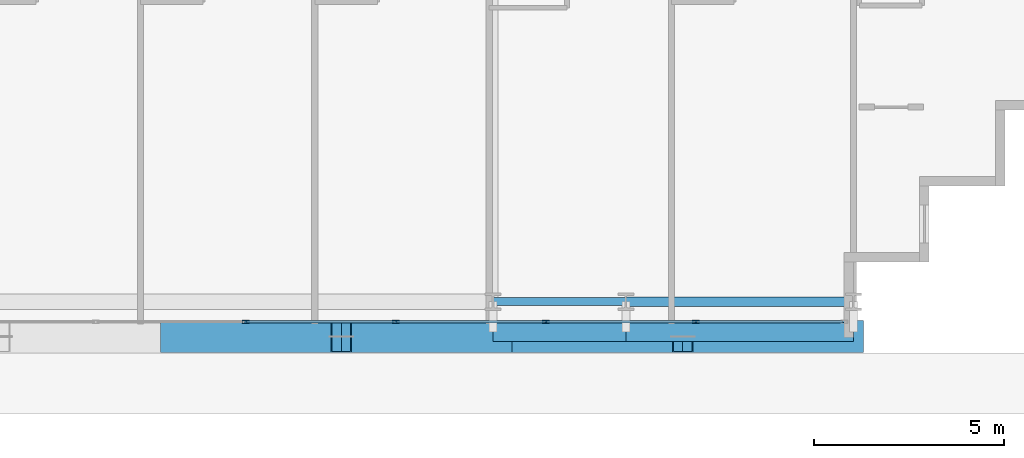
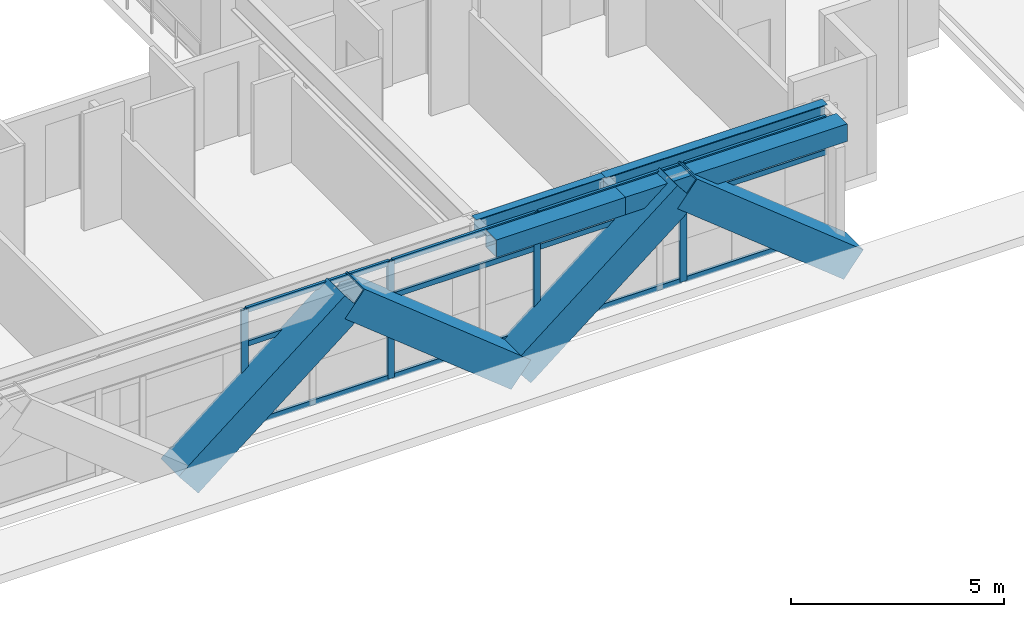
# One storey, part 9 of 35: 20 members, 4 beams, 1 element without a shape of its own.
"""IFC4 building model written with IfcOpenShell, lengths in metres."""

from ifc_helpers import new_model, si_unit, direction, frame, origin, origin_2d, place, context, subcontext, project, spatial, hollow_rectangle, i_section, extrude, source, transform, mapped, material, layer, layer_set, material_profile, profile_set, type_object, element, aggregate, save


model = new_model("IFC4")

# Units and contexts
model_context = context("Model", 3, precision=1e-05, world=origin(), true_north=direction((0.0, 1.0)))
body_context = subcontext(model_context, "Body", "Model", "MODEL_VIEW")
ifc_project = project(units=[si_unit("LENGTHUNIT", "METRE"), si_unit("AREAUNIT", "SQUARE_METRE"), si_unit("VOLUMEUNIT", "CUBIC_METRE"), si_unit("PLANEANGLEUNIT", "RADIAN"), si_unit("MASSUNIT", "GRAM", prefix="KILO")], contexts=[model_context])

# Site, building, storey
site_placement = place(None, origin())
site = spatial("IfcSite", under=ifc_project, at=site_placement, CompositionType="ELEMENT")
building_placement = place(site_placement, origin())
building = spatial("IfcBuilding", under=site, at=building_placement, Name="Ocotamira Hotel", CompositionType="ELEMENT")
storey_placement = place(building_placement, frame((0.0, 0.0, 34.800048828125)))
storey = spatial("IfcBuildingStorey", under=building, at=storey_placement, Name="L07", CompositionType="ELEMENT", Elevation=34.800048828125)

# Beams
ifc_material_1 = material(Name="Steel ASTM A992 Grade 50", Category="steel")
ifc_material_profile_1 = material_profile(ifc_material_1, i_section(OverallWidth=0.256103515625, OverallDepth=0.693115234375, WebThickness=0.014404296875, FlangeThickness=0.023681640625, FilletRadius=0.01611328125, at=origin_2d()), Name="W27X114")
ifc_profile_set_1 = profile_set([ifc_material_profile_1], Name="Steel ASTM A992 Grade 50")
beam_type_1 = type_object("IfcBeamType", Name="BM-PRIM-W27X114", PredefinedType="BEAM", material=ifc_profile_set_1)
shared_shape_1 = source(origin(), body_context, "Body", "SweptSolid", [
    extrude(i_section(OverallWidth=0.256103515625, OverallDepth=0.693115234375, WebThickness=0.014404296875, FlangeThickness=0.023681640625, FilletRadius=0.01611328125, at=origin_2d()), origin(), (0.0, 0.0, 1.0), 6.0),
])
beam_1_placement = place(storey_placement, frame((44.0, 2.949951171875, 3.00341796875), z_axis=(1.0, 0.0, 0.0), x_axis=(0.0, 1.0, 0.0)))
element("IfcBeam", 1, at=beam_1_placement, inside=storey, type_object=beam_type_1, Name="L07 Girder Y2.95 X44-50", PredefinedType="BEAM", context=body_context, shape_type="MappedRepresentation", body=[
    mapped(shared_shape_1, transform((0.0, 0.0, 0.0), scale=1.0)),
])
ifc_material_profile_2 = material_profile(ifc_material_1, i_section(OverallWidth=0.2099609375, OverallDepth=0.537109375, WebThickness=0.010986328125, FlangeThickness=0.017333984375, FilletRadius=0.012939453125, at=origin_2d()), Name="W21X68")
ifc_profile_set_2 = profile_set([ifc_material_profile_2], Name="Steel ASTM A992 Grade 50")
beam_type_2 = type_object("IfcBeamType", Name="BM-SEC-W21X68", PredefinedType="JOIST", material=ifc_profile_set_2)
shared_shape_2 = source(origin(), body_context, "Body", "SweptSolid", [
    extrude(i_section(OverallWidth=0.2099609375, OverallDepth=0.537109375, WebThickness=0.010986328125, FlangeThickness=0.017333984375, FilletRadius=0.012939453125, at=origin_2d()), origin(), (0.0, 0.0, 1.0), 3.5),
])
beam_2_placement = place(storey_placement, frame((40.5, 2.949951171875, 3.08154296875), z_axis=(1.0, 0.0, 0.0), x_axis=(0.0, 1.0, 0.0)))
element("IfcBeam", 2, at=beam_2_placement, inside=storey, type_object=beam_type_2, Name="L07 Girder Y2.95 X40.5-44", PredefinedType="JOIST", context=body_context, shape_type="MappedRepresentation", body=[
    mapped(shared_shape_2, transform((0.0, 0.0, 0.0), scale=1.0)),
])
ifc_material_2 = material(Name="Steel ASTM A500 Grade C", Category="steel")
ifc_material_profile_3 = material_profile(ifc_material_2, hollow_rectangle(XDim=0.5, YDim=0.5, WallThickness=0.02001953125, at=origin_2d()), Name="HSS500X500X20")
ifc_profile_set_3 = profile_set([ifc_material_profile_3], Name="Steel ASTM A500 Grade C")
beam_type_3 = type_object("IfcBeamType", Name="BM-SPAN-HSS500", PredefinedType="USERDEFINED", material=ifc_profile_set_3)
shared_shape_3 = source(origin(), body_context, "Body", "SweptSolid", [
    extrude(hollow_rectangle(XDim=0.5, YDim=0.5, WallThickness=0.02001953125, at=origin_2d()), origin(), (0.0, 0.0, 1.0), 6.0),
])
beam_3_placement = place(storey_placement, frame((44.0, 2.14990234375, 3.099853515625), z_axis=(1.0, 0.0, 0.0), x_axis=(0.0, 1.0, 0.0)))
element("IfcBeam", 3, at=beam_3_placement, inside=storey, type_object=beam_type_3, Name="L07 Edge Spandrel S X44-50", ObjectType="SPANDREL", PredefinedType="USERDEFINED", context=body_context, shape_type="MappedRepresentation", body=[
    mapped(shared_shape_3, transform((0.0, 0.0, 0.0), scale=1.0)),
])
shared_shape_4 = source(origin(), body_context, "Body", "SweptSolid", [
    extrude(hollow_rectangle(XDim=0.5, YDim=0.5, WallThickness=0.02001953125, at=origin_2d()), origin(), (0.0, 0.0, 1.0), 3.5),
])
beam_4_placement = place(storey_placement, frame((40.5, 2.14990234375, 3.099853515625), z_axis=(1.0, 0.0, 0.0), x_axis=(0.0, 1.0, 0.0)))
element("IfcBeam", 4, at=beam_4_placement, inside=storey, type_object=beam_type_3, Name="L07 Edge Spandrel S X40.5-44", ObjectType="SPANDREL", PredefinedType="USERDEFINED", context=body_context, shape_type="MappedRepresentation", body=[
    mapped(shared_shape_4, transform((0.0, 0.0, 0.0), scale=1.0)),
])

# Members
ifc_material_3 = material(Name="Pale-metal coated steel ASTM A913 Grade 65", Category="steel")
ifc_material_profile_4 = material_profile(ifc_material_3, hollow_rectangle(XDim=0.85009765625, YDim=0.85009765625, WallThickness=0.035888671875, at=origin_2d()), Name="BOX850X850X36")
ifc_profile_set_4 = profile_set([ifc_material_profile_4], Name="Pale-metal coated steel ASTM A913 Grade 65")
member_type_1 = type_object("IfcMemberType", Name="MEM-EXO-BOX850", PredefinedType="BRACE", material=ifc_profile_set_4)
shared_shape_5 = source(origin(), body_context, "Body", "SweptSolid", [
    extrude(hollow_rectangle(XDim=0.85009765625, YDim=0.85009765625, WallThickness=0.035888671875, at=origin_2d()), origin(), (0.0, 0.0, 1.0), 5.7626953125),
])
for number, where, z_axis, x_axis, name in (
    (5, (32.0, 2.030029296875, -0.5), (0.780881208953, 0.0, 0.624679547852), (0.0, 1.0, 0.0), "L07 Exoskeleton Diagrid S2.1"),
    (6, (41.0, 2.030029296875, -0.5), (-0.780881208953, 0.0, 0.624679547852), (0.0, -1.0, 0.0), "L07 Exoskeleton Diagrid S2.2"),
    (7, (41.0, 2.030029296875, -0.5), (0.780881208953, 0.0, 0.624679547852), (0.0, 1.0, 0.0), "L07 Exoskeleton Diagrid S3.1"),
    (8, (50.0, 2.030029296875, -0.5), (-0.780881208953, 0.0, 0.624679547852), (0.0, -1.0, 0.0), "L07 Exoskeleton Diagrid S3.2"),
):
    element("IfcMember", number, at=place(storey_placement, frame(where, z_axis=z_axis, x_axis=x_axis)), inside=storey, type_object=member_type_1, Name=name, PredefinedType="BRACE", context=body_context, shape_type="MappedRepresentation", body=[
        mapped(shared_shape_5, transform((0.0, 0.0, 0.0), scale=1.0)),
    ])

# Curtain wall, members
ifc_material_4 = material(Name="Anodised pale-metal aluminium and solar glass", Category="aluminium")
ifc_layer = layer(ifc_material_4, 0.179931640625)
ifc_layer_set = layer_set([ifc_layer], Name="Anodised pale-metal aluminium and solar glass")
curtain_wall_type = type_object("IfcCurtainWallType", Name="CW-SYS2-Z1", PredefinedType="NOTDEFINED", material=ifc_layer_set)
curtain_wall_placement = place(storey_placement, origin())
curtain_wall = element("IfcCurtainWall", 9, at=curtain_wall_placement, inside=storey, type_object=curtain_wall_type, Name="L07 Curtain Wall CW-2 CW-L07-S1", PredefinedType="NOTDEFINED")
ifc_material_5 = material(Name="Anodised pale-metal aluminium 6063-T6", Category="aluminium")
ifc_material_profile_5 = material_profile(ifc_material_5, hollow_rectangle(XDim=0.080078125, YDim=0.179931640625, WallThickness=0.006103515625, at=origin_2d()), Name="HSS180X80X6")
ifc_profile_set_5 = profile_set([ifc_material_profile_5], Name="Anodised pale-metal aluminium 6063-T6")
member_type_2 = type_object("IfcMemberType", Name="CWM-180X75", PredefinedType="MULLION", material=ifc_profile_set_5)
shared_shape_6 = source(origin(), body_context, "Body", "SweptSolid", [
    extrude(hollow_rectangle(XDim=0.080078125, YDim=0.179931640625, WallThickness=0.006103515625, at=origin_2d()), origin(), (0.0, 0.0, 1.0), 3.349853515625),
])
member_1_placement = place(storey_placement, frame((33.977783203125, 2.419921875, 0.0), z_axis=(0.0, 0.0, 1.0), x_axis=(0.0, 1.0, 0.0)))
member_1 = element("IfcMember", 10, at=member_1_placement, type_object=member_type_2, Name="CW-2 mullion 6", PredefinedType="MULLION", context=body_context, shape_type="MappedRepresentation", body=[
    mapped(shared_shape_6, transform((0.0, 0.0, 0.0), scale=1.0)),
])
member_2_placement = place(storey_placement, frame((37.933349609375, 2.419921875, 0.0), z_axis=(0.0, 0.0, 1.0), x_axis=(0.0, 1.0, 0.0)))
member_2 = element("IfcMember", 11, at=member_2_placement, type_object=member_type_2, Name="CW-2 mullion 7", PredefinedType="MULLION", context=body_context, shape_type="MappedRepresentation", body=[
    mapped(shared_shape_6, transform((0.0, 0.0, 0.0), scale=1.0)),
])
member_3_placement = place(storey_placement, frame((41.888916015625, 2.419921875, 0.0), z_axis=(0.0, 0.0, 1.0), x_axis=(0.0, 1.0, 0.0)))
member_3 = element("IfcMember", 12, at=member_3_placement, type_object=member_type_2, Name="CW-2 mullion 8", PredefinedType="MULLION", context=body_context, shape_type="MappedRepresentation", body=[
    mapped(shared_shape_6, transform((0.0, 0.0, 0.0), scale=1.0)),
])
member_4_placement = place(storey_placement, frame((45.844482421875, 2.419921875, 0.0), z_axis=(0.0, 0.0, 1.0), x_axis=(0.0, 1.0, 0.0)))
member_4 = element("IfcMember", 13, at=member_4_placement, type_object=member_type_2, Name="CW-2 mullion 9", PredefinedType="MULLION", context=body_context, shape_type="MappedRepresentation", body=[
    mapped(shared_shape_6, transform((0.0, 0.0, 0.0), scale=1.0)),
])
ifc_material_profile_6 = material_profile(ifc_material_5, hollow_rectangle(XDim=0.074951171875, YDim=0.14990234375, WallThickness=0.006103515625, at=origin_2d()), Name="HSS150X75X6")
ifc_profile_set_6 = profile_set([ifc_material_profile_6], Name="Anodised pale-metal aluminium 6063-T6")
member_type_3 = type_object("IfcMemberType", Name="CWT-150X75", PredefinedType="USERDEFINED", material=ifc_profile_set_6)
shared_shape_7 = source(origin(), body_context, "Body", "SweptSolid", [
    extrude(hollow_rectangle(XDim=0.074951171875, YDim=0.14990234375, WallThickness=0.006103515625, at=origin_2d()), origin(), (0.0, 0.0, 1.0), 3.83544921875),
])
member_5_placement = place(storey_placement, frame((45.884521484375, 2.419921875, 0.037353515625), z_axis=(1.0, 0.0, 0.0), x_axis=(0.0, 1.0, 0.0)))
member_5 = element("IfcMember", 14, at=member_5_placement, type_object=member_type_3, Name="CW-2 transom 9.1", ObjectType="TRANSOM", PredefinedType="USERDEFINED", context=body_context, shape_type="MappedRepresentation", body=[
    mapped(shared_shape_7, transform((0.0, 0.0, 0.0), scale=1.0)),
])
member_6_placement = place(storey_placement, frame((45.884521484375, 2.419921875, 2.349853515625), z_axis=(1.0, 0.0, 0.0), x_axis=(0.0, 1.0, 0.0)))
member_6 = element("IfcMember", 15, at=member_6_placement, type_object=member_type_3, Name="CW-2 transom 9.2", ObjectType="TRANSOM", PredefinedType="USERDEFINED", context=body_context, shape_type="MappedRepresentation", body=[
    mapped(shared_shape_7, transform((0.0, 0.0, 0.0), scale=1.0)),
])
member_7_placement = place(storey_placement, frame((45.884521484375, 2.419921875, 3.3125), z_axis=(1.0, 0.0, 0.0), x_axis=(0.0, 1.0, 0.0)))
member_7 = element("IfcMember", 16, at=member_7_placement, type_object=member_type_3, Name="CW-2 transom 9.3", ObjectType="TRANSOM", PredefinedType="USERDEFINED", context=body_context, shape_type="MappedRepresentation", body=[
    mapped(shared_shape_7, transform((0.0, 0.0, 0.0), scale=1.0)),
])
shared_shape_8 = source(origin(), body_context, "Body", "SweptSolid", [
    extrude(hollow_rectangle(XDim=0.074951171875, YDim=0.14990234375, WallThickness=0.006103515625, at=origin_2d()), origin(), (0.0, 0.0, 1.0), 3.87548828125),
])
member_8_placement = place(storey_placement, frame((34.017822265625, 2.419921875, 0.037353515625), z_axis=(1.0, 0.0, 0.0), x_axis=(0.0, 1.0, 0.0)))
member_8 = element("IfcMember", 17, at=member_8_placement, type_object=member_type_3, Name="CW-2 transom 6.1", ObjectType="TRANSOM", PredefinedType="USERDEFINED", context=body_context, shape_type="MappedRepresentation", body=[
    mapped(shared_shape_8, transform((0.0, 0.0, 0.0), scale=1.0)),
])
member_9_placement = place(storey_placement, frame((34.017822265625, 2.419921875, 2.349853515625), z_axis=(1.0, 0.0, 0.0), x_axis=(0.0, 1.0, 0.0)))
member_9 = element("IfcMember", 18, at=member_9_placement, type_object=member_type_3, Name="CW-2 transom 6.2", ObjectType="TRANSOM", PredefinedType="USERDEFINED", context=body_context, shape_type="MappedRepresentation", body=[
    mapped(shared_shape_8, transform((0.0, 0.0, 0.0), scale=1.0)),
])
member_10_placement = place(storey_placement, frame((34.017822265625, 2.419921875, 3.3125), z_axis=(1.0, 0.0, 0.0), x_axis=(0.0, 1.0, 0.0)))
member_10 = element("IfcMember", 19, at=member_10_placement, type_object=member_type_3, Name="CW-2 transom 6.3", ObjectType="TRANSOM", PredefinedType="USERDEFINED", context=body_context, shape_type="MappedRepresentation", body=[
    mapped(shared_shape_8, transform((0.0, 0.0, 0.0), scale=1.0)),
])
member_11_placement = place(storey_placement, frame((37.973388671875, 2.419921875, 0.037353515625), z_axis=(1.0, 0.0, 0.0), x_axis=(0.0, 1.0, 0.0)))
member_11 = element("IfcMember", 20, at=member_11_placement, type_object=member_type_3, Name="CW-2 transom 7.1", ObjectType="TRANSOM", PredefinedType="USERDEFINED", context=body_context, shape_type="MappedRepresentation", body=[
    mapped(shared_shape_8, transform((0.0, 0.0, 0.0), scale=1.0)),
])
member_12_placement = place(storey_placement, frame((37.973388671875, 2.419921875, 2.349853515625), z_axis=(1.0, 0.0, 0.0), x_axis=(0.0, 1.0, 0.0)))
member_12 = element("IfcMember", 21, at=member_12_placement, type_object=member_type_3, Name="CW-2 transom 7.2", ObjectType="TRANSOM", PredefinedType="USERDEFINED", context=body_context, shape_type="MappedRepresentation", body=[
    mapped(shared_shape_8, transform((0.0, 0.0, 0.0), scale=1.0)),
])
member_13_placement = place(storey_placement, frame((37.973388671875, 2.419921875, 3.3125), z_axis=(1.0, 0.0, 0.0), x_axis=(0.0, 1.0, 0.0)))
member_13 = element("IfcMember", 22, at=member_13_placement, type_object=member_type_3, Name="CW-2 transom 7.3", ObjectType="TRANSOM", PredefinedType="USERDEFINED", context=body_context, shape_type="MappedRepresentation", body=[
    mapped(shared_shape_8, transform((0.0, 0.0, 0.0), scale=1.0)),
])
member_14_placement = place(storey_placement, frame((41.928955078125, 2.419921875, 0.037353515625), z_axis=(1.0, 0.0, 0.0), x_axis=(0.0, 1.0, 0.0)))
member_14 = element("IfcMember", 23, at=member_14_placement, type_object=member_type_3, Name="CW-2 transom 8.1", ObjectType="TRANSOM", PredefinedType="USERDEFINED", context=body_context, shape_type="MappedRepresentation", body=[
    mapped(shared_shape_8, transform((0.0, 0.0, 0.0), scale=1.0)),
])
member_15_placement = place(storey_placement, frame((41.928955078125, 2.419921875, 2.349853515625), z_axis=(1.0, 0.0, 0.0), x_axis=(0.0, 1.0, 0.0)))
member_15 = element("IfcMember", 24, at=member_15_placement, type_object=member_type_3, Name="CW-2 transom 8.2", ObjectType="TRANSOM", PredefinedType="USERDEFINED", context=body_context, shape_type="MappedRepresentation", body=[
    mapped(shared_shape_8, transform((0.0, 0.0, 0.0), scale=1.0)),
])
member_16_placement = place(storey_placement, frame((41.928955078125, 2.419921875, 3.3125), z_axis=(1.0, 0.0, 0.0), x_axis=(0.0, 1.0, 0.0)))
member_16 = element("IfcMember", 25, at=member_16_placement, type_object=member_type_3, Name="CW-2 transom 8.3", ObjectType="TRANSOM", PredefinedType="USERDEFINED", context=body_context, shape_type="MappedRepresentation", body=[
    mapped(shared_shape_8, transform((0.0, 0.0, 0.0), scale=1.0)),
])
aggregate(curtain_wall, [member_1, member_2, member_3, member_4, member_8, member_9, member_10, member_11, member_12, member_13, member_14, member_15, member_16, member_5, member_6, member_7])

save(model, "model.ifc")
